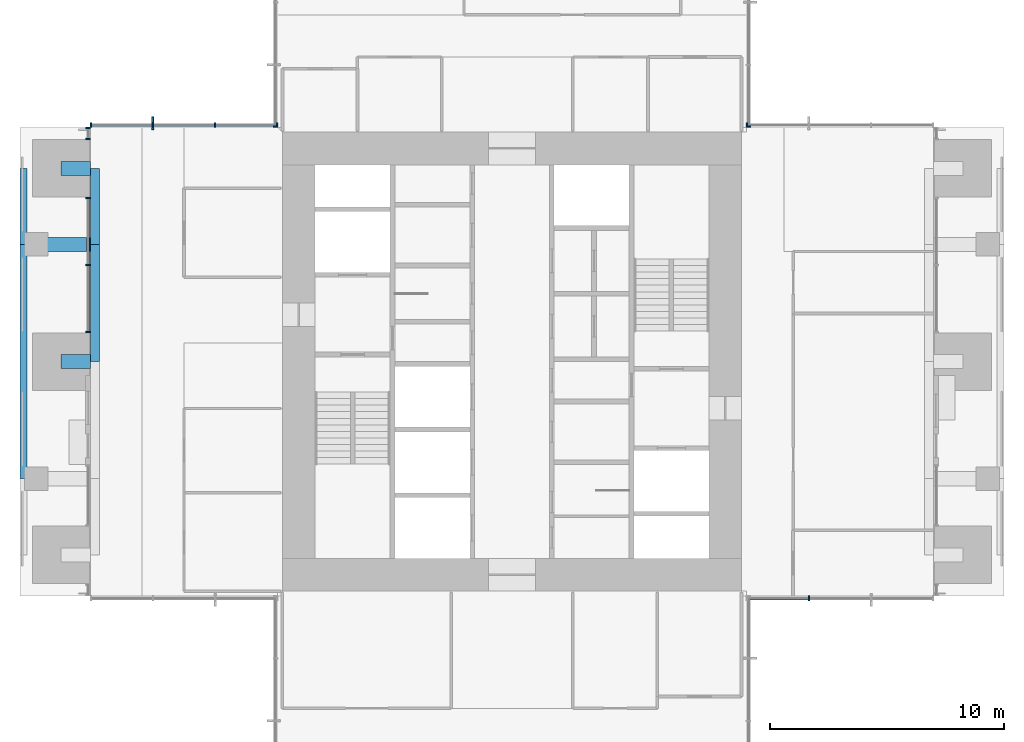
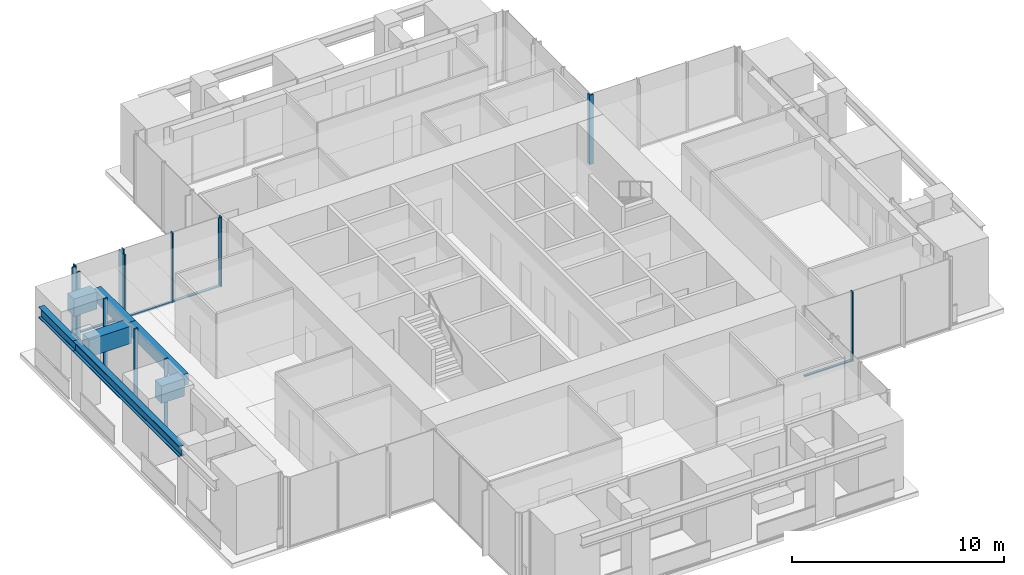
# One storey, part 3 of 17: 20 members, 7 beams, 7 elements without a shape of their own.
"""IFC4 building model written with IfcOpenShell, lengths in metres."""

from ifc_helpers import new_model, si_unit, direction, frame, origin, origin_2d, place, context, subcontext, project, spatial, rectangle, i_section, extrude, material, material_profile, profile_set, type_object, element, aggregate, save


model = new_model("IFC4")

# Units and contexts
model_context = context("Model", 3, precision=1e-05, world=origin(), true_north=direction((0.0, 1.0)))
body_context = subcontext(model_context, "Body", "Model", "MODEL_VIEW")
ifc_project = project(units=[si_unit("LENGTHUNIT", "METRE"), si_unit("AREAUNIT", "SQUARE_METRE"), si_unit("VOLUMEUNIT", "CUBIC_METRE"), si_unit("PLANEANGLEUNIT", "RADIAN"), si_unit("MASSUNIT", "GRAM", prefix="KILO")], contexts=[model_context])

# Site, building, storey
site_placement = place(None, origin())
site = spatial("IfcSite", under=ifc_project, at=site_placement, CompositionType="ELEMENT")
building_placement = place(site_placement, origin())
building = spatial("IfcBuilding", under=site, at=building_placement, Name="Svetlomir Tower", CompositionType="ELEMENT")
storey_placement = place(building_placement, frame((0.0, 0.0, 186.5)))
storey = spatial("IfcBuildingStorey", under=building, at=storey_placement, Name="L44", CompositionType="ELEMENT", Elevation=186.5)

# Curtain wall, member
ifc_material_1 = material(Name="Bronze anodised aluminium curtain wall", Category="aluminium")
curtain_wall_type = type_object("IfcCurtainWallType", Name="CURTAIN WALL CW1 TOWER OFFICE", PredefinedType="NOTDEFINED", material=ifc_material_1)
curtain_wall_1_placement = place(storey_placement, origin())
curtain_wall_1 = element("IfcCurtainWall", 1, at=curtain_wall_1_placement, inside=storey, type_object=curtain_wall_type, Name="Curtain wall CW1 L44", PredefinedType="NOTDEFINED")
ifc_material_2 = material(Name="Bronze anodised aluminium", Category="aluminium")
ifc_material_profile_1 = material_profile(ifc_material_2, rectangle(XDim=0.080078125, YDim=0.550048828125, at=origin_2d()), Name="FIN 80x550")
ifc_profile_set_1 = profile_set([ifc_material_profile_1], Name="Bronze anodised aluminium 6063-T6")
member_type_1 = type_object("IfcMemberType", Name="BRONZE FIN 80x550", PredefinedType="USERDEFINED", material=ifc_profile_set_1)
member_1_placement = place(storey_placement, frame((5.666748046875, 31.175048828125, 0.0), z_axis=(0.0, 0.0, 1.0), x_axis=(1.0, 0.0, 0.0)))
member_1 = element("IfcMember", 2, at=member_1_placement, type_object=member_type_1, Name="Bronze fin L44", ObjectType="FIN", PredefinedType="USERDEFINED", context=body_context, shape_type="SweptSolid", body=[
    extrude(rectangle(XDim=0.080078125, YDim=0.550048828125, at=origin_2d()), origin(), (0.0, 0.0, 1.0), 3.75),
])

curtain_wall_2_placement = place(storey_placement, origin())
curtain_wall_2 = element("IfcCurtainWall", 3, at=curtain_wall_2_placement, inside=storey, type_object=curtain_wall_type, Name="Curtain wall CW1 L44", PredefinedType="NOTDEFINED")
ifc_material_3 = material(Name="Bronze anodised aluminium", Category="aluminium")
ifc_material_profile_2 = material_profile(ifc_material_3, rectangle(XDim=0.06494140625, YDim=0.199951171875, at=origin_2d()), Name="AL 65x200")
ifc_profile_set_2 = profile_set([ifc_material_profile_2], Name="Bronze anodised aluminium 6063-T6")
member_type_2 = type_object("IfcMemberType", Name="CW1 MULLION 65x200", PredefinedType="MULLION", material=ifc_profile_set_2)
member_2_placement = place(storey_placement, frame((33.666748046875, 10.89990234375, 0.0), z_axis=(0.0, 0.0, 1.0), x_axis=(1.0, 0.0, 0.0)))
member_2 = element("IfcMember", 4, at=member_2_placement, type_object=member_type_2, Name="CW1 mullion 2", PredefinedType="MULLION", context=body_context, shape_type="SweptSolid", body=[
    extrude(rectangle(XDim=0.06494140625, YDim=0.199951171875, at=origin_2d()), origin(), (0.0, 0.0, 1.0), 4.0),
])

curtain_wall_3_placement = place(storey_placement, origin())
curtain_wall_3 = element("IfcCurtainWall", 5, at=curtain_wall_3_placement, inside=storey, type_object=curtain_wall_type, Name="Curtain wall CW1 L44", PredefinedType="NOTDEFINED")
member_3_placement = place(storey_placement, frame((31.032470703125, 31.10009765625, 0.0), z_axis=(0.0, 0.0, 1.0), x_axis=(-1.0, 0.0, 0.0)))
member_3 = element("IfcMember", 6, at=member_3_placement, type_object=member_type_2, Name="CW1 mullion 4", PredefinedType="MULLION", context=body_context, shape_type="SweptSolid", body=[
    extrude(rectangle(XDim=0.06494140625, YDim=0.199951171875, at=origin_2d()), origin(), (0.0, 0.0, 1.0), 4.0),
])
aggregate(curtain_wall_3, [member_3])

curtain_wall_4_placement = place(storey_placement, origin())
curtain_wall_4 = element("IfcCurtainWall", 7, at=curtain_wall_4_placement, inside=storey, type_object=curtain_wall_type, Name="Curtain wall CW1 L44", PredefinedType="NOTDEFINED")
member_4_placement = place(storey_placement, frame((31.10009765625, 31.032470703125, 0.0), z_axis=(0.0, 0.0, 1.0), x_axis=(0.0, 1.0, 0.0)))
member_4 = element("IfcMember", 8, at=member_4_placement, type_object=member_type_2, Name="CW1 mullion 1", PredefinedType="MULLION", context=body_context, shape_type="SweptSolid", body=[
    extrude(rectangle(XDim=0.06494140625, YDim=0.199951171875, at=origin_2d()), origin(), (0.0, 0.0, 1.0), 4.0),
])
aggregate(curtain_wall_4, [member_4])

curtain_wall_5_placement = place(storey_placement, origin())
curtain_wall_5 = element("IfcCurtainWall", 9, at=curtain_wall_5_placement, inside=storey, type_object=curtain_wall_type, Name="Curtain wall CW1 L44", PredefinedType="NOTDEFINED")
member_5_placement = place(storey_placement, frame((10.89990234375, 31.032470703125, 0.0), z_axis=(0.0, 0.0, 1.0), x_axis=(0.0, -1.0, 0.0)))
member_5 = element("IfcMember", 10, at=member_5_placement, type_object=member_type_2, Name="CW1 mullion 4", PredefinedType="MULLION", context=body_context, shape_type="SweptSolid", body=[
    extrude(rectangle(XDim=0.06494140625, YDim=0.199951171875, at=origin_2d()), origin(), (0.0, 0.0, 1.0), 4.0),
])
aggregate(curtain_wall_5, [member_5])

# Member
member_6_placement = place(storey_placement, frame((10.967529296875, 31.10009765625, 0.0), z_axis=(0.0, 0.0, 1.0), x_axis=(-1.0, 0.0, 0.0)))
member_6 = element("IfcMember", 11, at=member_6_placement, type_object=member_type_2, Name="CW1 mullion 1", PredefinedType="MULLION", context=body_context, shape_type="SweptSolid", body=[
    extrude(rectangle(XDim=0.06494140625, YDim=0.199951171875, at=origin_2d()), origin(), (0.0, 0.0, 1.0), 4.0),
])

member_7_placement = place(storey_placement, frame((8.333251953125, 31.10009765625, 0.0), z_axis=(0.0, 0.0, 1.0), x_axis=(-1.0, 0.0, 0.0)))
member_7 = element("IfcMember", 12, at=member_7_placement, type_object=member_type_2, Name="CW1 mullion 2", PredefinedType="MULLION", context=body_context, shape_type="SweptSolid", body=[
    extrude(rectangle(XDim=0.06494140625, YDim=0.199951171875, at=origin_2d()), origin(), (0.0, 0.0, 1.0), 4.0),
])

member_8_placement = place(storey_placement, frame((5.666748046875, 31.10009765625, 0.0), z_axis=(0.0, 0.0, 1.0), x_axis=(-1.0, 0.0, 0.0)))
member_8 = element("IfcMember", 13, at=member_8_placement, type_object=member_type_2, Name="CW1 mullion 3", PredefinedType="MULLION", context=body_context, shape_type="SweptSolid", body=[
    extrude(rectangle(XDim=0.06494140625, YDim=0.199951171875, at=origin_2d()), origin(), (0.0, 0.0, 1.0), 4.0),
])

member_9_placement = place(storey_placement, frame((3.032470703125, 31.10009765625, 0.0), z_axis=(0.0, 0.0, 1.0), x_axis=(-1.0, 0.0, 0.0)))
member_9 = element("IfcMember", 14, at=member_9_placement, type_object=member_type_2, Name="CW1 mullion 4", PredefinedType="MULLION", context=body_context, shape_type="SweptSolid", body=[
    extrude(rectangle(XDim=0.06494140625, YDim=0.199951171875, at=origin_2d()), origin(), (0.0, 0.0, 1.0), 4.0),
])

# Curtain wall, members
curtain_wall_6_placement = place(storey_placement, origin())
curtain_wall_6 = element("IfcCurtainWall", 15, at=curtain_wall_6_placement, inside=storey, type_object=curtain_wall_type, Name="Curtain wall CW1 L44", PredefinedType="NOTDEFINED")
member_10_placement = place(storey_placement, frame((2.89990234375, 30.967529296875, 0.0), z_axis=(0.0, 0.0, 1.0), x_axis=(0.0, -1.0, 0.0)))
member_10 = element("IfcMember", 16, at=member_10_placement, type_object=member_type_2, Name="CW1 mullion 1", PredefinedType="MULLION", context=body_context, shape_type="SweptSolid", body=[
    extrude(rectangle(XDim=0.06494140625, YDim=0.199951171875, at=origin_2d()), origin(), (0.0, 0.0, 1.0), 4.0),
])
member_11_placement = place(storey_placement, frame((2.89990234375, 30.507568359375, 0.0), z_axis=(0.0, 0.0, 1.0), x_axis=(0.0, -1.0, 0.0)))
member_11 = element("IfcMember", 17, at=member_11_placement, type_object=member_type_2, Name="CW1 mullion 2", PredefinedType="MULLION", context=body_context, shape_type="SweptSolid", body=[
    extrude(rectangle(XDim=0.06494140625, YDim=0.199951171875, at=origin_2d()), origin(), (0.0, 0.0, 1.0), 4.0),
])
aggregate(curtain_wall_6, [member_10, member_11])

curtain_wall_7_placement = place(storey_placement, origin())
curtain_wall_7 = element("IfcCurtainWall", 18, at=curtain_wall_7_placement, inside=storey, type_object=curtain_wall_type, Name="Curtain wall CW1 L44", PredefinedType="NOTDEFINED")
member_12_placement = place(storey_placement, frame((2.89990234375, 27.992431640625, 0.0), z_axis=(0.0, 0.0, 1.0), x_axis=(0.0, -1.0, 0.0)))
member_12 = element("IfcMember", 19, at=member_12_placement, type_object=member_type_2, Name="CW1 mullion 1", PredefinedType="MULLION", context=body_context, shape_type="SweptSolid", body=[
    extrude(rectangle(XDim=0.06494140625, YDim=0.199951171875, at=origin_2d()), origin(), (0.0, 0.0, 1.0), 4.0),
])
member_13_placement = place(storey_placement, frame((2.89990234375, 25.125, 0.0), z_axis=(0.0, 0.0, 1.0), x_axis=(0.0, -1.0, 0.0)))
member_13 = element("IfcMember", 20, at=member_13_placement, type_object=member_type_2, Name="CW1 mullion 2", PredefinedType="MULLION", context=body_context, shape_type="SweptSolid", body=[
    extrude(rectangle(XDim=0.06494140625, YDim=0.199951171875, at=origin_2d()), origin(), (0.0, 0.0, 1.0), 4.0),
])
member_14_placement = place(storey_placement, frame((2.89990234375, 22.257568359375, 0.0), z_axis=(0.0, 0.0, 1.0), x_axis=(0.0, -1.0, 0.0)))
member_14 = element("IfcMember", 21, at=member_14_placement, type_object=member_type_2, Name="CW1 mullion 3", PredefinedType="MULLION", context=body_context, shape_type="SweptSolid", body=[
    extrude(rectangle(XDim=0.06494140625, YDim=0.199951171875, at=origin_2d()), origin(), (0.0, 0.0, 1.0), 4.0),
])

# Member
ifc_material_4 = material(Name="Bronze anodised aluminium", Category="aluminium")
ifc_material_profile_3 = material_profile(ifc_material_4, rectangle(XDim=0.139892578125, YDim=0.06494140625, at=origin_2d()), Name="AL 140x65")
ifc_profile_set_3 = profile_set([ifc_material_profile_3], Name="Bronze anodised aluminium 6063-T6")
member_type_3 = type_object("IfcMemberType", Name="CW1 TRANSOM 65x140", PredefinedType="USERDEFINED", material=ifc_profile_set_3)
member_15_placement = place(storey_placement, frame((31.06494140625, 10.89990234375, 0.032470703125), z_axis=(1.0, 0.0, 0.0), x_axis=(0.0, 1.0, 0.0)))
member_15 = element("IfcMember", 22, at=member_15_placement, type_object=member_type_3, Name="CW1 transom 1.1", ObjectType="TRANSOM", PredefinedType="USERDEFINED", context=body_context, shape_type="SweptSolid", body=[
    extrude(rectangle(XDim=0.139892578125, YDim=0.06494140625, at=origin_2d()), origin(), (0.0, 0.0, 1.0), 2.5693359375),
])

aggregate(curtain_wall_2, [member_2, member_15])

member_16_placement = place(storey_placement, frame((10.93505859375, 31.10009765625, 0.032470703125), z_axis=(-1.0, 0.0, 0.0), x_axis=(0.0, -1.0, 0.0)))
member_16 = element("IfcMember", 23, at=member_16_placement, type_object=member_type_3, Name="CW1 transom 1.1", ObjectType="TRANSOM", PredefinedType="USERDEFINED", context=body_context, shape_type="SweptSolid", body=[
    extrude(rectangle(XDim=0.139892578125, YDim=0.06494140625, at=origin_2d()), origin(), (0.0, 0.0, 1.0), 2.5693359375),
])

member_17_placement = place(storey_placement, frame((8.30078125, 31.10009765625, 0.032470703125), z_axis=(-1.0, 0.0, 0.0), x_axis=(0.0, -1.0, 0.0)))
member_17 = element("IfcMember", 24, at=member_17_placement, type_object=member_type_3, Name="CW1 transom 2.1", ObjectType="TRANSOM", PredefinedType="USERDEFINED", context=body_context, shape_type="SweptSolid", body=[
    extrude(rectangle(XDim=0.139892578125, YDim=0.06494140625, at=origin_2d()), origin(), (0.0, 0.0, 1.0), 2.6015625),
])

member_18_placement = place(storey_placement, frame((5.63427734375, 31.10009765625, 0.032470703125), z_axis=(-1.0, 0.0, 0.0), x_axis=(0.0, -1.0, 0.0)))
member_18 = element("IfcMember", 25, at=member_18_placement, type_object=member_type_3, Name="CW1 transom 3.1", ObjectType="TRANSOM", PredefinedType="USERDEFINED", context=body_context, shape_type="SweptSolid", body=[
    extrude(rectangle(XDim=0.139892578125, YDim=0.06494140625, at=origin_2d()), origin(), (0.0, 0.0, 1.0), 2.5693359375),
])

aggregate(curtain_wall_1, [member_6, member_7, member_8, member_9, member_16, member_17, member_18, member_1])

member_19_placement = place(storey_placement, frame((2.89990234375, 27.9599609375, 0.032470703125), z_axis=(0.0, -1.0, 0.0), x_axis=(1.0, 0.0, 0.0)))
member_19 = element("IfcMember", 26, at=member_19_placement, type_object=member_type_3, Name="CW1 transom 1.1", ObjectType="TRANSOM", PredefinedType="USERDEFINED", context=body_context, shape_type="SweptSolid", body=[
    extrude(rectangle(XDim=0.139892578125, YDim=0.06494140625, at=origin_2d()), origin(), (0.0, 0.0, 1.0), 2.802490234375),
])

member_20_placement = place(storey_placement, frame((2.89990234375, 25.092529296875, 0.032470703125), z_axis=(0.0, -1.0, 0.0), x_axis=(1.0, 0.0, 0.0)))
member_20 = element("IfcMember", 27, at=member_20_placement, type_object=member_type_3, Name="CW1 transom 2.1", ObjectType="TRANSOM", PredefinedType="USERDEFINED", context=body_context, shape_type="SweptSolid", body=[
    extrude(rectangle(XDim=0.139892578125, YDim=0.06494140625, at=origin_2d()), origin(), (0.0, 0.0, 1.0), 2.802490234375),
])

aggregate(curtain_wall_7, [member_12, member_13, member_14, member_19, member_20])

# Beams
ifc_material_5 = material(Name="Steel S355", Category="steel")
ifc_material_profile_4 = material_profile(ifc_material_5, i_section(OverallWidth=0.304931640625, OverallDepth=0.6201171875, WebThickness=0.02099609375, FlangeThickness=0.0400390625, FilletRadius=0.027099609375, at=origin_2d()), Name="HEM 600")
ifc_profile_set_4 = profile_set([ifc_material_profile_4], Name="Steel S355")
beam_type_1 = type_object("IfcBeamType", Name="EDGE BEAM HEM 600", PredefinedType="SPANDREL", material=ifc_profile_set_4)
beam_1_placement = place(storey_placement, frame((0.152587890625, 16.0, 3.43994140625), z_axis=(0.0, 1.0, 0.0), x_axis=(-1.0, 0.0, 0.0)))
element("IfcBeam", 28, at=beam_1_placement, inside=storey, type_object=beam_type_1, Name="Edge beam 0/16 to 0/26 under L45", PredefinedType="SPANDREL", context=body_context, shape_type="SweptSolid", body=[
    extrude(i_section(OverallWidth=0.304931640625, OverallDepth=0.6201171875, WebThickness=0.02099609375, FlangeThickness=0.0400390625, FilletRadius=0.027099609375, at=origin_2d()), origin(), (0.0, 0.0, 1.0), 10.0),
])
beam_2_placement = place(storey_placement, frame((0.152587890625, 26.0, 3.43994140625), z_axis=(0.0, 1.0, 0.0), x_axis=(-1.0, 0.0, 0.0)))
element("IfcBeam", 29, at=beam_2_placement, inside=storey, type_object=beam_type_1, Name="Edge beam 0/26 to 0/31 under L45", PredefinedType="SPANDREL", context=body_context, shape_type="SweptSolid", body=[
    extrude(i_section(OverallWidth=0.304931640625, OverallDepth=0.6201171875, WebThickness=0.02099609375, FlangeThickness=0.0400390625, FilletRadius=0.027099609375, at=origin_2d()), origin(), (0.0, 0.0, 1.0), 3.25),
])
ifc_material_6 = material(Name="Concrete C60/75", Category="concrete")
ifc_material_profile_5 = material_profile(ifc_material_6, rectangle(XDim=0.39990234375, YDim=0.64990234375, at=origin_2d()), Name="RC 400x650")
ifc_profile_set_5 = profile_set([ifc_material_profile_5], Name="Concrete C60/75")
beam_type_2 = type_object("IfcBeamType", Name="FACADE EDGE BEAM RC 400x650", PredefinedType="BEAM", material=ifc_profile_set_5)
beam_3_placement = place(storey_placement, frame((3.199951171875, 21.0, 3.425048828125), z_axis=(0.0, 1.0, 0.0), x_axis=(-1.0, 0.0, 0.0)))
element("IfcBeam", 30, at=beam_3_placement, inside=storey, type_object=beam_type_2, Name="Facade edge beam W 21 to 26 under L45", PredefinedType="BEAM", context=body_context, shape_type="SweptSolid", body=[
    extrude(rectangle(XDim=0.39990234375, YDim=0.64990234375, at=origin_2d()), origin(), (0.0, 0.0, 1.0), 5.0),
])
beam_4_placement = place(storey_placement, frame((3.199951171875, 26.0, 3.425048828125), z_axis=(0.0, 1.0, 0.0), x_axis=(-1.0, 0.0, 0.0)))
element("IfcBeam", 31, at=beam_4_placement, inside=storey, type_object=beam_type_2, Name="Facade edge beam W 26 to 31 under L45", PredefinedType="BEAM", context=body_context, shape_type="SweptSolid", body=[
    extrude(rectangle(XDim=0.39990234375, YDim=0.64990234375, at=origin_2d()), origin(), (0.0, 0.0, 1.0), 3.25),
])
ifc_material_7 = material(Name="Concrete C60/75", Category="concrete")
ifc_material_profile_6 = material_profile(ifc_material_7, rectangle(XDim=0.60009765625, YDim=1.0, at=origin_2d()), Name="RC 600x1000")
ifc_profile_set_6 = profile_set([ifc_material_profile_6], Name="Concrete C60/75")
beam_type_3 = type_object("IfcBeamType", Name="LOGGIA LINK BEAM RC 600x1000", PredefinedType="BEAM", material=ifc_profile_set_6)
beam_5_placement = place(storey_placement, frame((1.75, 21.0, 3.25), z_axis=(1.0, 0.0, 0.0), x_axis=(0.0, 1.0, 0.0)))
element("IfcBeam", 32, at=beam_5_placement, inside=storey, type_object=beam_type_3, Name="Loggia link beam W 21 under L45", PredefinedType="BEAM", context=body_context, shape_type="SweptSolid", body=[
    extrude(rectangle(XDim=0.60009765625, YDim=1.0, at=origin_2d()), origin(), (0.0, 0.0, 1.0), 1.25),
])
beam_6_placement = place(storey_placement, frame((0.699951171875, 26.0, 3.25), z_axis=(1.0, 0.0, 0.0), x_axis=(0.0, 1.0, 0.0)))
element("IfcBeam", 33, at=beam_6_placement, inside=storey, type_object=beam_type_3, Name="Loggia link beam W 26 under L45", PredefinedType="BEAM", context=body_context, shape_type="SweptSolid", body=[
    extrude(rectangle(XDim=0.60009765625, YDim=1.0, at=origin_2d()), origin(), (0.0, 0.0, 1.0), 2.300048828125),
])
beam_7_placement = place(storey_placement, frame((1.75, 29.25, 3.25), z_axis=(1.0, 0.0, 0.0), x_axis=(0.0, 1.0, 0.0)))
element("IfcBeam", 34, at=beam_7_placement, inside=storey, type_object=beam_type_3, Name="Loggia link beam W 31 under L45", PredefinedType="BEAM", context=body_context, shape_type="SweptSolid", body=[
    extrude(rectangle(XDim=0.60009765625, YDim=1.0, at=origin_2d()), origin(), (0.0, 0.0, 1.0), 1.25),
])

save(model, "model.ifc")
